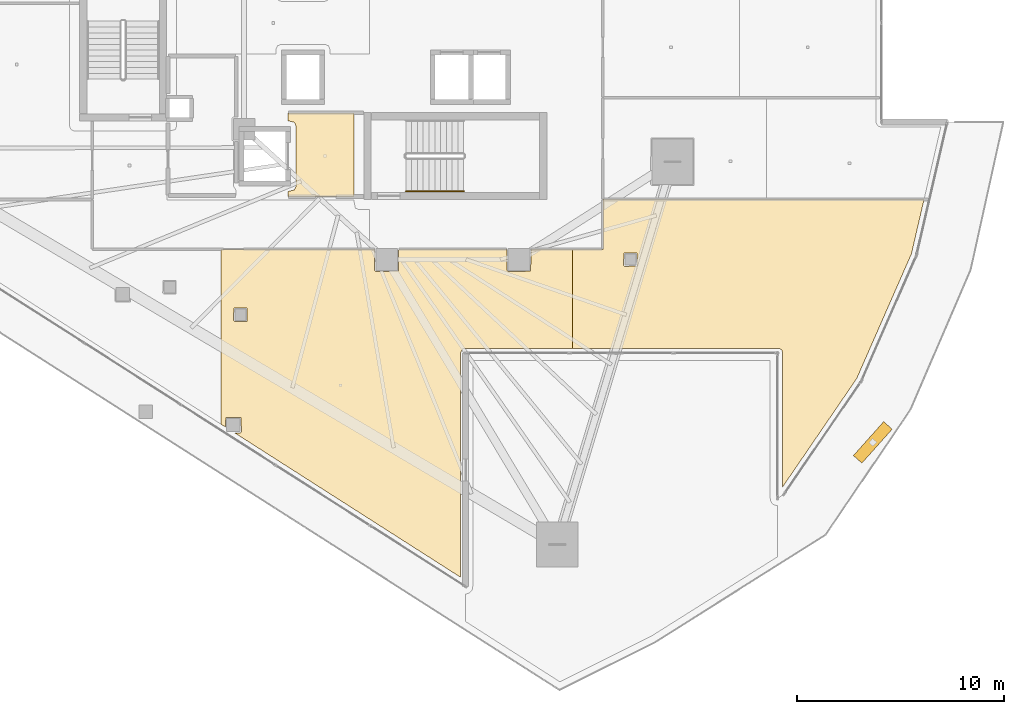
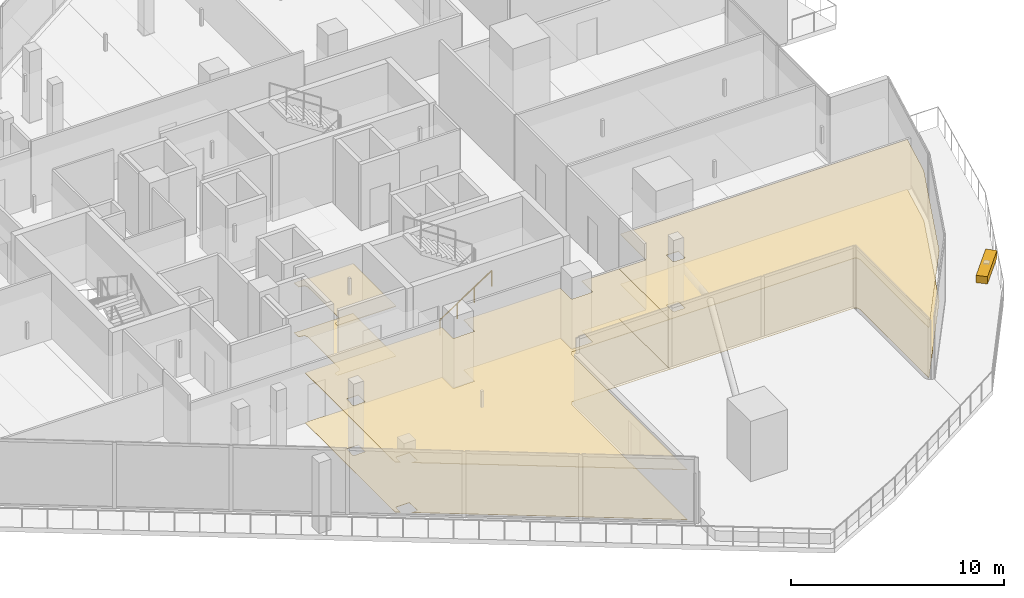
# One storey, part 34 of 39: 6 coverings, 1 railing, 1 shading device.
"""IFC4 building model written with IfcOpenShell, lengths in metres."""

import ifcopenshell
import ifcopenshell.guid

model = None  # the IFC model being written
_history = None  # IfcOwnerHistory: only IFC2X3 demands one
_inside = {}  # id of a spatial element -> (the spatial element, [elements in it])
_under = {}  # id of a project, library or spatial element -> (it, [spatial elements below it])
_declared = {}  # id of a project -> (the project, [libraries it declares])
_typed = {}  # id of a type object -> (the type object, [elements of that type])
_made_of = {}  # id of a material, layer set ... -> (it, [elements and type objects made of it])


def new_model(schema):
    """Start an empty IFC model of exactly this schema.

    Asked for "IFC4X3", IfcOpenShell would pick the latest addendum, in which some entities
    have other attributes; the version numbers below select the first issue.
    IFC2X3 requires an IfcOwnerHistory on every rooted entity: one is made here for all.
    """
    global model, _history
    if schema == "IFC4X3":
        model = ifcopenshell.file(schema_version=(4, 3, 0, 0))
    else:
        model = ifcopenshell.file(schema=schema)
    _inside.clear()
    _under.clear()
    _declared.clear()
    _typed.clear()
    _made_of.clear()
    _history = None
    if model.schema == "IFC2X3":
        org = make("IfcOrganization", Name="unknown")
        user = make(
            "IfcPersonAndOrganization",
            ThePerson=make("IfcPerson", FamilyName="unknown"),
            TheOrganization=org,
        )
        app = make(
            "IfcApplication",
            ApplicationDeveloper=org,
            Version="unknown",
            ApplicationFullName="unknown",
            ApplicationIdentifier="unknown",
        )
        _history = make(
            "IfcOwnerHistory",
            OwningUser=user,
            OwningApplication=app,
            ChangeAction="ADDED",
            CreationDate=0,
        )
    return model


def make(cls, **values):
    """One entity of the class cls with the attributes given. An attribute that is None is left unset."""
    return model.create_entity(
        cls, **{name: value for name, value in values.items() if value is not None}
    )


def rooted(cls, **values):
    """An entity with a GlobalId (a new one), such as an element, a storey or a relation."""
    return make(cls, GlobalId=ifcopenshell.guid.new(), OwnerHistory=_history, **values)


def si_unit(unit_type, name, prefix=None):
    """IfcSIUnit, for example si_unit("LENGTHUNIT", "METRE", prefix="MILLI")."""
    return make("IfcSIUnit", UnitType=unit_type, Prefix=prefix, Name=name)


def assignment(units):
    """IfcUnitAssignment: the units of a project."""
    return None if units is None else make("IfcUnitAssignment", Units=units)


def point(xyz):
    """IfcCartesianPoint."""
    return None if xyz is None else make("IfcCartesianPoint", Coordinates=xyz)


def direction(xyz):
    """IfcDirection."""
    return None if xyz is None else make("IfcDirection", DirectionRatios=xyz)


def frame(location, z_axis=None, x_axis=None):
    """IfcAxis2Placement3D, a coordinate frame: its origin and axes. An axis left out is left unset."""
    return make(
        "IfcAxis2Placement3D",
        Location=point(location),
        Axis=direction(z_axis),
        RefDirection=direction(x_axis),
    )


def frame_2d(location, x_axis=None):
    """IfcAxis2Placement2D, a coordinate frame in the plane: its origin and x axis."""
    return make(
        "IfcAxis2Placement2D", Location=point(location), RefDirection=direction(x_axis)
    )


def origin():
    """The frame at (0, 0, 0) with its axes left unset."""
    return frame((0.0, 0.0, 0.0))


def origin_2d():
    """The frame at (0, 0) in the plane with its x axis left unset."""
    return frame_2d((0.0, 0.0))


def place(relative_to, where):
    """IfcLocalPlacement: puts the frame where relative to a parent placement (None: the world)."""
    return make(
        "IfcLocalPlacement", PlacementRelTo=relative_to, RelativePlacement=where
    )


def context(
    kind, dimensions, precision=None, world=None, true_north=None, identifier=None
):
    """IfcGeometricRepresentationContext, for example the 3D "Model" context."""
    return make(
        "IfcGeometricRepresentationContext",
        ContextIdentifier=identifier,
        ContextType=kind,
        CoordinateSpaceDimension=dimensions,
        Precision=precision,
        WorldCoordinateSystem=world,
        TrueNorth=true_north,
    )


def subcontext(parent, identifier, kind, view, scale=None):
    """IfcGeometricRepresentationSubContext, for example "Body" below "Model"."""
    return make(
        "IfcGeometricRepresentationSubContext",
        ContextIdentifier=identifier,
        ContextType=kind,
        ParentContext=parent,
        TargetScale=scale,
        TargetView=view,
    )


def project(units=None, contexts=None):
    """IfcProject with its units and contexts."""
    return rooted(
        "IfcProject",
        Name="project",
        RepresentationContexts=contexts,
        UnitsInContext=assignment(units),
    )


def spatial(cls, under=None, at=None, **own):
    """A site, building, storey or space (cls), placed at a placement, below another one or the project."""
    s = rooted(cls, ObjectPlacement=at, **own)
    if under is not None:
        _under.setdefault(under.id(), (under, []))[1].append(s)
    return s


def polyline(points):
    """IfcPolyline through the points."""
    return make("IfcPolyline", Points=[point(p) for p in points])


def profile(cls, at=None, kind="AREA", **sizes):
    """A parametric profile (cls). Its sizes go by their IFC names, for example OverallWidth=200.0."""
    return make(cls, ProfileType=kind, Position=at, **sizes)


def rectangle(**sizes):
    """IfcRectangleProfileDef."""
    return profile("IfcRectangleProfileDef", **sizes)


def circle(**sizes):
    """IfcCircleProfileDef."""
    return profile("IfcCircleProfileDef", **sizes)


def outline(outer, holes=None, kind="AREA"):
    """IfcArbitraryClosedProfileDef: a profile drawn as a closed curve; with holes, ...WithVoids."""
    if holes is None:
        return make("IfcArbitraryClosedProfileDef", ProfileType=kind, OuterCurve=outer)
    return make(
        "IfcArbitraryProfileDefWithVoids",
        ProfileType=kind,
        OuterCurve=outer,
        InnerCurves=holes,
    )


def extrude(swept, where, along, depth):
    """IfcExtrudedAreaSolid: the profile swept, set in the frame where, extruded along a direction by depth."""
    return make(
        "IfcExtrudedAreaSolid",
        SweptArea=swept,
        Position=where,
        ExtrudedDirection=direction(along),
        Depth=depth,
    )


def shape(context_of_items, identifier, shape_type, items):
    """IfcShapeRepresentation: the items that make up one representation, for example the "Body"."""
    return make(
        "IfcShapeRepresentation",
        ContextOfItems=context_of_items,
        RepresentationIdentifier=identifier,
        RepresentationType=shape_type,
        Items=items,
    )


def material(Name=None, Category=None):
    """IfcMaterial."""
    return make("IfcMaterial", Name=Name, Category=Category)


def layer(
    of_material, thickness, ventilated=None, Name=None, Category=None, Priority=None
):
    """IfcMaterialLayer: one layer of a wall or slab, of a material (None: an air gap)."""
    return make(
        "IfcMaterialLayer",
        Material=of_material,
        LayerThickness=thickness,
        IsVentilated=ventilated,
        Name=Name,
        Category=Category,
        Priority=Priority,
    )


def layer_set(layers, Name=None):
    """IfcMaterialLayerSet."""
    return make("IfcMaterialLayerSet", MaterialLayers=layers, LayerSetName=Name)


def made_of(thing, what):
    """Note that an element or type object is made of a material, layer set ...; save() writes the relation."""
    if what is not None:
        _made_of.setdefault(what.id(), (what, []))[1].append(thing)
    return thing


def type_object(cls, material=None, **own):
    """A type object (cls), such as IfcWallType, which elements share."""
    return made_of(rooted(cls, **own), material)


def element(
    cls,
    number,
    at=None,
    inside=None,
    cuts=None,
    type_object=None,
    material=None,
    context=None,
    identifier="Body",
    shape_type=None,
    held_by="IfcProductDefinitionShape",
    body=None,
    shapes=None,
    **own,
):
    """One element of the class cls, such as IfcWall. Its Tag is "e" and its number.

    at: its placement. inside: the storey or other place that contains it. cuts: it is an
    opening in that element (IfcRelVoidsElement). A single representation is given by context,
    identifier, shape_type and body (its items); several are given by shapes. held_by: the class
    of the entity that holds the representations. save() writes the other relations.
    """
    e = rooted(cls, Tag="e%d" % number, ObjectPlacement=at, **own)
    if body is not None:
        shapes = [shape(context, identifier, shape_type, body)]
    if shapes is not None:
        e.Representation = make(held_by, Representations=shapes)
    if inside is not None:
        _inside.setdefault(inside.id(), (inside, []))[1].append(e)
    if cuts is not None:
        rooted(
            "IfcRelVoidsElement", RelatingBuildingElement=cuts, RelatedOpeningElement=e
        )
    if type_object is not None:
        _typed.setdefault(type_object.id(), (type_object, []))[1].append(e)
    return made_of(e, material)


def aggregate(whole, parts):
    """IfcRelAggregates: a whole, such as a stair, and the parts it consists of."""
    return rooted("IfcRelAggregates", RelatingObject=whole, RelatedObjects=parts)


def save(model, path):
    """Write the relations noted so far, then the file.

    IfcRelAggregates (storeys below a building ...), IfcRelContainedInSpatialStructure (elements
    in a storey), IfcRelDefinesByType, IfcRelAssociatesMaterial and IfcRelDeclares: one each for
    every whole, place, type object, material and project.
    """
    for whole, parts in _under.values():
        aggregate(whole, parts)
    for where, things in _inside.values():
        rooted(
            "IfcRelContainedInSpatialStructure",
            RelatedElements=things,
            RelatingStructure=where,
        )
    for kind, things in _typed.values():
        rooted("IfcRelDefinesByType", RelatedObjects=things, RelatingType=kind)
    for what, things in _made_of.values():
        rooted("IfcRelAssociatesMaterial", RelatedObjects=things, RelatingMaterial=what)
    for by, libraries in _declared.values():
        rooted("IfcRelDeclares", RelatingContext=by, RelatedDefinitions=libraries)
    model.write(path)


model = new_model("IFC4")

# Units and contexts
model_context = context("Model", 3, precision=1e-05, world=origin(), true_north=direction((0.0, 1.0)))
body_context = subcontext(model_context, "Body", "Model", "MODEL_VIEW")
ifc_project = project(units=[si_unit("LENGTHUNIT", "METRE"), si_unit("AREAUNIT", "SQUARE_METRE"), si_unit("VOLUMEUNIT", "CUBIC_METRE"), si_unit("PLANEANGLEUNIT", "RADIAN"), si_unit("MASSUNIT", "GRAM", prefix="KILO")], contexts=[model_context])

# Site, building, storey
site_placement = place(None, origin())
site = spatial("IfcSite", under=ifc_project, at=site_placement, CompositionType="ELEMENT")
building_placement = place(site_placement, origin())
building = spatial("IfcBuilding", under=site, at=building_placement, Name="Qorvath Tower", CompositionType="ELEMENT")
storey_placement = place(building_placement, frame((0.0, 0.0, 154.35009765625)))
storey = spatial("IfcBuildingStorey", under=building, at=storey_placement, Name="L35", CompositionType="ELEMENT", Elevation=154.35009765625)

# Coverings
ifc_material_1 = material(Name="Acoustic mineral fibre ceiling tile", Category="gypsum")
ifc_layer_1 = layer(ifc_material_1, 0.030029296875)
ifc_layer_set_1 = layer_set([ifc_layer_1], Name="COV-CEIL")
covering_type_1 = type_object("IfcCoveringType", Name="COV-CEIL", PredefinedType="CEILING", material=ifc_layer_set_1)
covering_1_placement = place(storey_placement, frame((0.0, 0.0, 2.849853515625)))
element("IfcCovering", 1, at=covering_1_placement, inside=storey, type_object=covering_type_1, Name="L35 Suspended Acoustic Ceiling 002", PredefinedType="CEILING", context=body_context, shape_type="SweptSolid", body=[
    extrude(outline(polyline([(-25.18994140625, -8.39501953125), (-25.18994140625, -4.35498046875), (-28.375, -4.35498046875), (-28.375, -4.739990234375), (-28.063232421875, -4.813232421875), (-27.989990234375, -4.989990234375), (-27.989990234375, -7.909912109375), (-28.063232421875, -8.086669921875), (-28.375, -8.159912109375), (-28.375, -8.39501953125), (-25.18994140625, -8.39501953125)])), origin(), (0.0, 0.0, 1.0), 0.030029296875),
])
covering_2_placement = place(storey_placement, frame((0.0, 0.0, 2.849853515625)))
element("IfcCovering", 2, at=covering_2_placement, inside=storey, type_object=covering_type_1, Name="L35 Suspended Acoustic Ceiling 018", PredefinedType="CEILING", context=body_context, shape_type="SweptSolid", body=[
    extrude(outline(polyline([(-14.603759765625, -15.755859375), (-14.603759765625, -10.962890625), (-16.614990234375, -10.962890625), (-16.632568359375, -12.017333984375), (-17.72509765625, -12.034912109375), (-17.784912109375, -11.97509765625), (-17.784912109375, -10.962890625), (-23.014892578125, -10.962890625), (-23.032470703125, -12.017333984375), (-24.125, -12.034912109375), (-24.18505859375, -11.97509765625), (-24.18505859375, -10.962890625), (-31.611328125, -10.962890625), (-31.611328125, -19.425048828125), (-31.401123046875, -19.5595703125), (-31.383544921875, -19.093017578125), (-30.648681640625, -19.093017578125), (-30.631103515625, -19.785400390625), (-30.691162109375, -19.845458984375), (-30.953857421875, -19.845458984375), (-20.0390625, -26.8212890625), (-20.0390625, -15.98388671875), (-19.9052734375, -15.760009765625), (-14.603759765625, -15.755859375)]), holes=[polyline([(-31.01220703125, -14.3994140625), (-30.99462890625, -13.806884765625), (-30.35986328125, -13.806884765625), (-30.35986328125, -14.441650390625), (-30.9521484375, -14.459228515625), (-31.01220703125, -14.3994140625)])]), origin(), (0.0, 0.0, 1.0), 0.030029296875),
])
covering_3_placement = place(storey_placement, frame((0.0, 0.0, 2.849853515625)))
element("IfcCovering", 3, at=covering_3_placement, inside=storey, type_object=covering_type_1, Name="L35 Suspended Acoustic Ceiling 019", PredefinedType="CEILING", context=body_context, shape_type="SweptSolid", body=[
    extrude(outline(polyline([(-4.43310546875, -15.98388671875), (-4.43310546875, -22.452880859375), (-0.85205078125, -17.2138671875), (1.796142578125, -11.18017578125), (2.404052734375, -8.554931640625), (-13.136962890625, -8.554931640625), (-13.14208984375, -10.962890625), (-14.603759765625, -10.962890625), (-14.603759765625, -15.755859375), (-4.59228515625, -15.748046875), (-4.47705078125, -15.84130859375), (-4.43310546875, -15.98388671875)]), holes=[polyline([(-12.135009765625, -11.72509765625), (-12.117431640625, -11.132568359375), (-11.482666015625, -11.132568359375), (-11.482666015625, -11.767333984375), (-12.074951171875, -11.784912109375), (-12.135009765625, -11.72509765625)])]), origin(), (0.0, 0.0, 1.0), 0.030029296875),
])
ifc_material_2 = material(Name="Low-VOC modular carpet tile", Category="textile")
ifc_layer_2 = layer(ifc_material_2, 0.014892578125)
ifc_layer_set_2 = layer_set([ifc_layer_2], Name="COV-FLOOR-CPT")
covering_type_2 = type_object("IfcCoveringType", Name="COV-FLOOR-CPT", PredefinedType="FLOORING", material=ifc_layer_set_2)
covering_4_placement = place(storey_placement, origin())
element("IfcCovering", 4, at=covering_4_placement, inside=storey, type_object=covering_type_2, Name="L35 Floor Finish 018", PredefinedType="FLOORING", context=body_context, shape_type="SweptSolid", body=[
    extrude(outline(polyline([(-14.603759765625, -15.755859375), (-14.603759765625, -10.962890625), (-16.614990234375, -10.962890625), (-16.632568359375, -12.017333984375), (-17.72509765625, -12.034912109375), (-17.784912109375, -11.97509765625), (-17.784912109375, -10.962890625), (-23.014892578125, -10.962890625), (-23.032470703125, -12.017333984375), (-24.125, -12.034912109375), (-24.18505859375, -11.97509765625), (-24.18505859375, -10.962890625), (-31.611328125, -10.962890625), (-31.611328125, -19.425048828125), (-31.401123046875, -19.5595703125), (-31.383544921875, -19.093017578125), (-30.648681640625, -19.093017578125), (-30.631103515625, -19.785400390625), (-30.691162109375, -19.845458984375), (-30.953857421875, -19.845458984375), (-20.0390625, -26.8212890625), (-20.0390625, -15.98388671875), (-19.9052734375, -15.760009765625), (-14.603759765625, -15.755859375)]), holes=[polyline([(-31.01220703125, -14.3994140625), (-30.99462890625, -13.806884765625), (-30.35986328125, -13.806884765625), (-30.35986328125, -14.441650390625), (-30.9521484375, -14.459228515625), (-31.01220703125, -14.3994140625)])]), origin(), (0.0, 0.0, 1.0), 0.014892578125),
])
covering_5_placement = place(storey_placement, origin())
element("IfcCovering", 5, at=covering_5_placement, inside=storey, type_object=covering_type_2, Name="L35 Floor Finish 019", PredefinedType="FLOORING", context=body_context, shape_type="SweptSolid", body=[
    extrude(outline(polyline([(-4.43310546875, -15.98388671875), (-4.43310546875, -22.452880859375), (-0.85205078125, -17.2138671875), (1.796142578125, -11.18017578125), (2.404052734375, -8.554931640625), (-13.136962890625, -8.554931640625), (-13.14208984375, -10.962890625), (-14.603759765625, -10.962890625), (-14.603759765625, -15.755859375), (-4.59228515625, -15.748046875), (-4.47705078125, -15.84130859375), (-4.43310546875, -15.98388671875)]), holes=[polyline([(-12.135009765625, -11.72509765625), (-12.117431640625, -11.132568359375), (-11.482666015625, -11.132568359375), (-11.482666015625, -11.767333984375), (-12.074951171875, -11.784912109375), (-12.135009765625, -11.72509765625)])]), origin(), (0.0, 0.0, 1.0), 0.014892578125),
])
ifc_material_3 = material(Name="Polished epoxy terrazzo flooring", Category="concrete")
ifc_layer_3 = layer(ifc_material_3, 0.02001953125)
ifc_layer_set_3 = layer_set([ifc_layer_3], Name="COV-FLOOR-TRZ")
covering_type_3 = type_object("IfcCoveringType", Name="COV-FLOOR-TRZ", PredefinedType="FLOORING", material=ifc_layer_set_3)
covering_6_placement = place(storey_placement, origin())
element("IfcCovering", 6, at=covering_6_placement, inside=storey, type_object=covering_type_3, Name="L35 Floor Finish 002", PredefinedType="FLOORING", context=body_context, shape_type="SweptSolid", body=[
    extrude(outline(polyline([(-25.18994140625, -8.39501953125), (-25.18994140625, -4.35498046875), (-28.375, -4.35498046875), (-28.375, -4.739990234375), (-28.063232421875, -4.813232421875), (-27.989990234375, -4.989990234375), (-27.989990234375, -7.909912109375), (-28.063232421875, -8.086669921875), (-28.375, -8.159912109375), (-28.375, -8.39501953125), (-25.18994140625, -8.39501953125)])), origin(), (0.0, 0.0, 1.0), 0.014892578125),
])

# Railing
ifc_material_4 = material(Name="Brushed stainless steel AISI 304", Category="steel")
railing_type = type_object("IfcRailingType", Name="RL-STR-HND", PredefinedType="HANDRAIL", material=ifc_material_4)
railing_placement = place(storey_placement, frame((-22.669921875, -8.14990234375, 0.18408203125)))
element("IfcRailing", 7, at=railing_placement, inside=storey, type_object=railing_type, Name="L35 TS2 stair handrail 1", PredefinedType="HANDRAIL", context=body_context, shape_type="SweptSolid", body=[
    extrude(circle(Radius=0.02392578125, at=origin_2d()), frame((0.0, 0.0, 0.8759765625), z_axis=(0.835575518608, 0.0, 0.549375602573), x_axis=(0.0, 1.0, 0.0)), (0.0, 0.0, 1.0), 3.350830078125),
    extrude(circle(Radius=0.02099609375, at=origin_2d()), origin(), (0.0, 0.0, 1.0), 0.851806640625),
    extrude(circle(Radius=0.02099609375, at=origin_2d()), frame((0.933349609375, 0.0, 0.613525390625)), (0.0, 0.0, 1.0), 0.851806640625),
    extrude(circle(Radius=0.02099609375, at=origin_2d()), frame((1.866455078125, 0.0, 1.227294921875)), (0.0, 0.0, 1.0), 0.851806640625),
    extrude(circle(Radius=0.02099609375, at=origin_2d()), frame((2.7998046875, 0.0, 1.8408203125)), (0.0, 0.0, 1.0), 0.851806640625),
])

# Shading device
ifc_material_5 = material(Name="Anodised bronze-champagne aluminium", Category="aluminium")
shading_device_type = type_object("IfcShadingDeviceType", Name="SD-LOUVRE", PredefinedType="JALOUSIE", material=ifc_material_5)
shading_device_placement = place(storey_placement, frame((-0.07421875, -20.30322265625, 3.35986328125), z_axis=(0.0, 0.0, 1.0), x_axis=(0.66555477106, 0.746349011334, 0.0)))
element("IfcShadingDevice", 8, at=shading_device_placement, inside=storey, type_object=shading_device_type, Name="Sinusoidal Wave Louvre Blade L35-02", PredefinedType="NOTDEFINED", context=body_context, shape_type="SweptSolid", body=[
    extrude(rectangle(XDim=2.199951171875, YDim=0.550048828125, at=origin_2d()), origin(), (0.0, 0.0, 1.0), 0.419921875),
])

save(model, "model.ifc")
